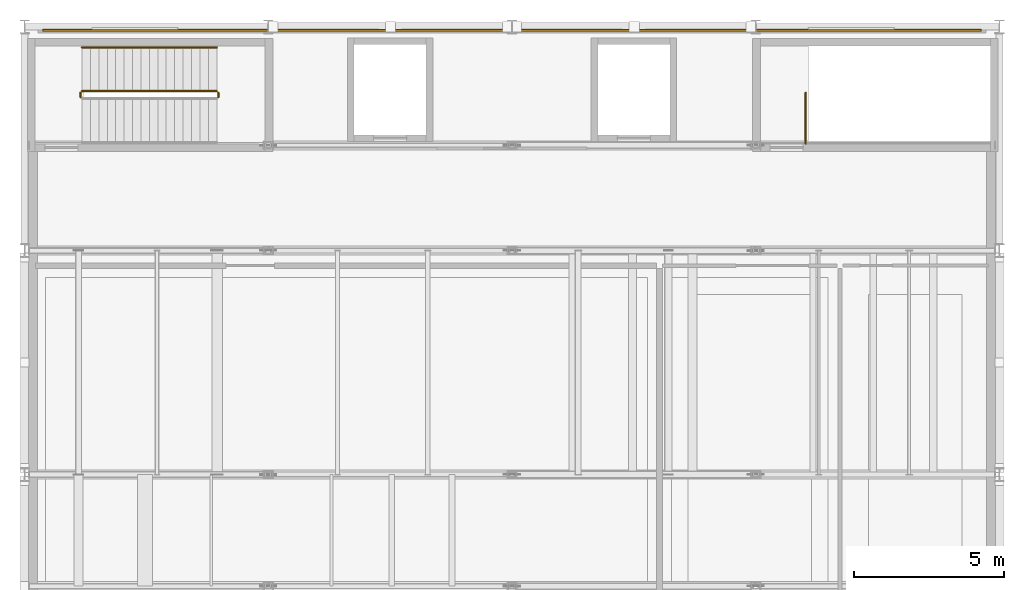
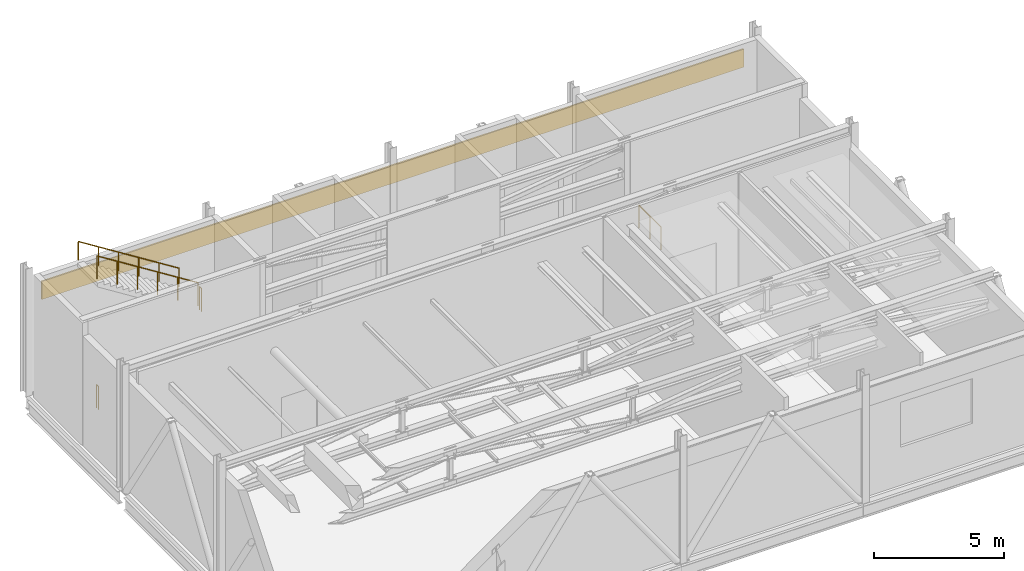
# One storey, part 21 of 21: 5 railings, 1 covering.
"""IFC4 building model written with IfcOpenShell, lengths in metres."""

from ifc_helpers import new_model, si_unit, direction, frame, origin, origin_2d, place, context, subcontext, project, spatial, rectangle, circle, extrude, material, layer, layer_set, type_object, element, save


model = new_model("IFC4")

# Units and contexts
model_context = context("Model", 3, precision=1e-05, world=origin(), true_north=direction((0.0, 1.0)))
body_context = subcontext(model_context, "Body", "Model", "MODEL_VIEW")
ifc_project = project(units=[si_unit("LENGTHUNIT", "METRE"), si_unit("AREAUNIT", "SQUARE_METRE"), si_unit("VOLUMEUNIT", "CUBIC_METRE"), si_unit("PLANEANGLEUNIT", "RADIAN"), si_unit("MASSUNIT", "GRAM", prefix="KILO")], contexts=[model_context])

# Site, building, storey
site_placement = place(None, origin())
site = spatial("IfcSite", under=ifc_project, at=site_placement, CompositionType="ELEMENT")
building_placement = place(site_placement, origin())
building = spatial("IfcBuilding", under=site, at=building_placement, Name="Kaelora Sail Theatre", CompositionType="ELEMENT")
storey_placement = place(building_placement, frame((0.0, 0.0, 27.60009765625)))
storey = spatial("IfcBuildingStorey", under=building, at=storey_placement, Name="L06", CompositionType="ELEMENT", Elevation=27.60009765625)

# Covering
ifc_material_1 = material(Name="Warm terracotta acoustic Postmodern facade entablature", Category="masonry")
ifc_layer = layer(ifc_material_1, 0.06494140625)
ifc_layer_set = layer_set([ifc_layer], Name="Warm terracotta acoustic Postmodern facade entablature")
covering_type = type_object("IfcCoveringType", Name="ARC-COV-TRC", PredefinedType="CLADDING", material=ifc_layer_set)
covering_placement = place(storey_placement, frame((42.0, 83.219970703125, 4.27490234375), z_axis=(0.0, 0.0, 1.0), x_axis=(1.0, 0.0, 0.0)))
element("IfcCovering", 1, at=covering_placement, inside=storey, type_object=covering_type, Name="Fly Tower North Terracotta Frieze Band (L06)", PredefinedType="CLADDING", context=body_context, shape_type="SweptSolid", body=[
    extrude(rectangle(XDim=31.199951171875, YDim=0.06494140625, at=origin_2d()), origin(), (0.0, 0.0, 1.0), 0.85009765625),
])

# Railings
ifc_material_2 = material(Name="Painted steel and laminated safety glass guard", Category="steel")
railing_type_1 = type_object("IfcRailingType", Name="ARC-RL-GRD", PredefinedType="GUARDRAIL", material=ifc_material_2)
railing_1_placement = place(storey_placement, frame((32.239990234375, 81.0, 3.0)))
element("IfcRailing", 2, at=railing_1_placement, inside=storey, type_object=railing_type_1, Name="L06 ST-K1 stair guard 2", PredefinedType="GUARDRAIL", context=body_context, shape_type="SweptSolid", body=[
    extrude(circle(Radius=0.02392578125, at=origin_2d()), frame((0.0, 0.0, 1.076171875), z_axis=(0.0, 1.0, 0.0), x_axis=(-1.0, 0.0, 0.0)), (0.0, 0.0, 1.0), 0.14990234375),
    extrude(circle(Radius=0.02099609375, at=origin_2d()), origin(), (0.0, 0.0, 1.0), 1.052001953125),
    extrude(circle(Radius=0.02099609375, at=origin_2d()), frame((0.0, 0.14990234375, 0.0)), (0.0, 0.0, 1.0), 1.052001953125),
])
railing_2_placement = place(storey_placement, frame((32.18994140625, 81.199951171875, 3.17626953125)))
element("IfcRailing", 3, at=railing_2_placement, inside=storey, type_object=railing_type_1, Name="L06 ST-K1 stair guard 3", PredefinedType="GUARDRAIL", context=body_context, shape_type="SweptSolid", body=[
    extrude(circle(Radius=0.02392578125, at=origin_2d()), frame((0.0, 0.0, 1.076171875), z_axis=(-0.845977142166, 0.0, 0.533219162196), x_axis=(0.0, -1.0, 0.0)), (0.0, 0.0, 1.0), 5.295654296875),
    extrude(circle(Radius=0.02099609375, at=origin_2d()), origin(), (0.0, 0.0, 1.0), 1.052001953125),
    extrude(circle(Radius=0.02099609375, at=origin_2d()), frame((-0.89599609375, 0.0, 0.564697265625)), (0.0, 0.0, 1.0), 1.052001953125),
    extrude(circle(Radius=0.02099609375, at=origin_2d()), frame((-1.7919921875, 0.0, 1.12939453125)), (0.0, 0.0, 1.0), 1.052001953125),
    extrude(circle(Radius=0.02099609375, at=origin_2d()), frame((-2.68798828125, 0.0, 1.6943359375)), (0.0, 0.0, 1.0), 1.052001953125),
    extrude(circle(Radius=0.02099609375, at=origin_2d()), frame((-3.583984375, 0.0, 2.259033203125)), (0.0, 0.0, 1.0), 1.052001953125),
    extrude(circle(Radius=0.02099609375, at=origin_2d()), frame((-4.47998046875, 0.0, 2.82373046875)), (0.0, 0.0, 1.0), 1.052001953125),
])
railing_3_placement = place(storey_placement, frame((27.659912109375, 81.0, 0.0)))
element("IfcRailing", 4, at=railing_3_placement, inside=storey, type_object=railing_type_1, Name="L06 ST-K1 stair guard 4", PredefinedType="GUARDRAIL", context=body_context, shape_type="SweptSolid", body=[
    extrude(circle(Radius=0.02392578125, at=origin_2d()), frame((0.0, 0.0, 1.076171875), z_axis=(0.0, 1.0, 0.0), x_axis=(-1.0, 0.0, 0.0)), (0.0, 0.0, 1.0), 0.14990234375),
    extrude(circle(Radius=0.02099609375, at=origin_2d()), origin(), (0.0, 0.0, 1.0), 1.052001953125),
    extrude(circle(Radius=0.02099609375, at=origin_2d()), frame((0.0, 0.14990234375, 0.0)), (0.0, 0.0, 1.0), 1.052001953125),
])
railing_4_placement = place(storey_placement, frame((51.760009765625, 79.449951171875, 0.0)))
element("IfcRailing", 5, at=railing_4_placement, inside=storey, type_object=railing_type_1, Name="L06 ST-K5 top well guard 1", PredefinedType="GUARDRAIL", context=body_context, shape_type="SweptSolid", body=[
    extrude(circle(Radius=0.02392578125, at=origin_2d()), frame((0.0, 0.0, 1.076171875), z_axis=(0.0, 1.0, 0.0), x_axis=(-1.0, 0.0, 0.0)), (0.0, 0.0, 1.0), 1.699951171875),
    extrude(circle(Radius=0.02099609375, at=origin_2d()), origin(), (0.0, 0.0, 1.0), 1.052001953125),
    extrude(circle(Radius=0.02099609375, at=origin_2d()), frame((0.0, 0.85009765625, 0.0)), (0.0, 0.0, 1.0), 1.052001953125),
    extrude(circle(Radius=0.02099609375, at=origin_2d()), frame((0.0, 1.699951171875, 0.0)), (0.0, 0.0, 1.0), 1.052001953125),
])
ifc_material_3 = material(Name="Brushed stainless steel 316L tubular handrail", Category="steel")
railing_type_2 = type_object("IfcRailingType", Name="ARC-RL-HND", PredefinedType="HANDRAIL", material=ifc_material_3)
railing_5_placement = place(storey_placement, frame((32.18994140625, 82.64990234375, 3.17626953125)))
element("IfcRailing", 6, at=railing_5_placement, inside=storey, type_object=railing_type_2, Name="L06 ST-K1 stair handrail 2", PredefinedType="HANDRAIL", context=body_context, shape_type="SweptSolid", body=[
    extrude(circle(Radius=0.02392578125, at=origin_2d()), frame((0.0, 0.0, 0.8759765625), z_axis=(-0.845977142166, 0.0, 0.533219162196), x_axis=(0.0, -1.0, 0.0)), (0.0, 0.0, 1.0), 5.295654296875),
    extrude(circle(Radius=0.02099609375, at=origin_2d()), origin(), (0.0, 0.0, 1.0), 0.851806640625),
    extrude(circle(Radius=0.02099609375, at=origin_2d()), frame((-0.89599609375, 0.0, 0.564697265625)), (0.0, 0.0, 1.0), 0.851806640625),
    extrude(circle(Radius=0.02099609375, at=origin_2d()), frame((-1.7919921875, 0.0, 1.12939453125)), (0.0, 0.0, 1.0), 0.851806640625),
    extrude(circle(Radius=0.02099609375, at=origin_2d()), frame((-2.68798828125, 0.0, 1.6943359375)), (0.0, 0.0, 1.0), 0.851806640625),
    extrude(circle(Radius=0.02099609375, at=origin_2d()), frame((-3.583984375, 0.0, 2.259033203125)), (0.0, 0.0, 1.0), 0.851806640625),
    extrude(circle(Radius=0.02099609375, at=origin_2d()), frame((-4.47998046875, 0.0, 2.82373046875)), (0.0, 0.0, 1.0), 0.851806640625),
])

save(model, "model.ifc")
